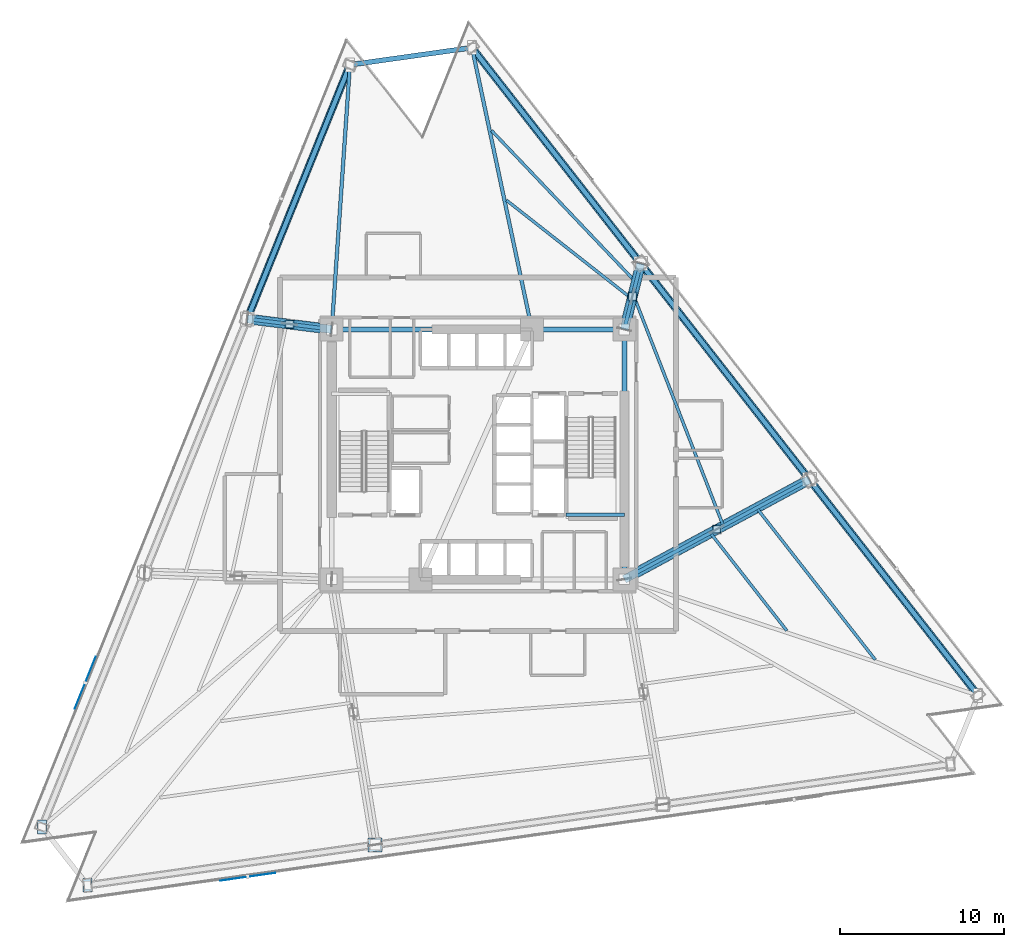
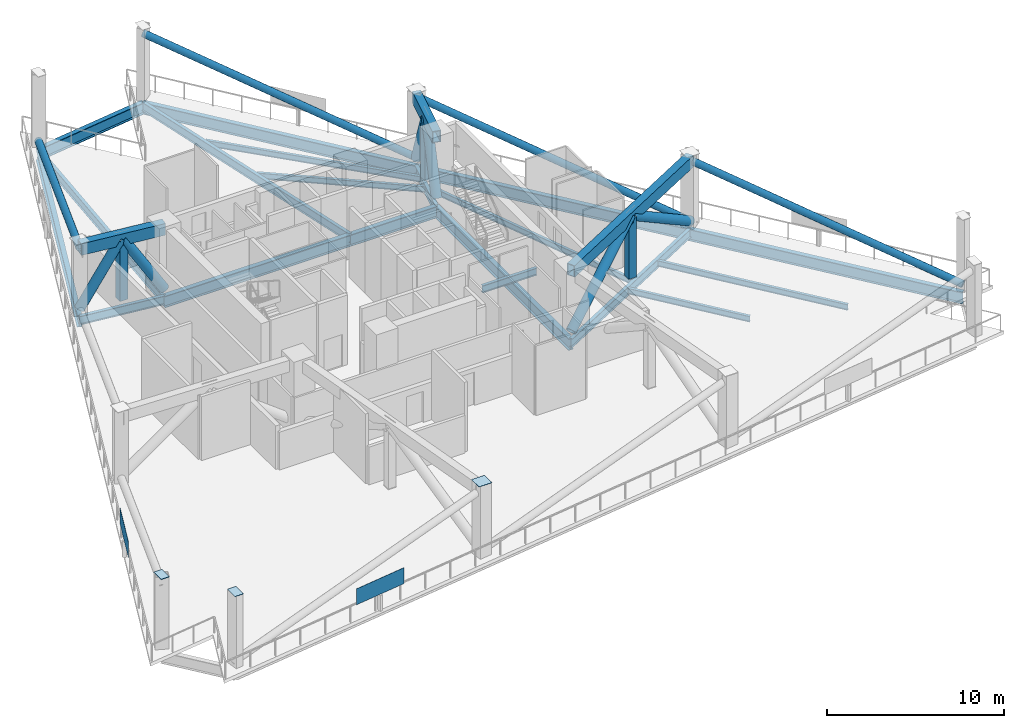
# One storey, part 2 of 13: 19 beams, 16 members, 5 plates.
"""IFC4 building model written with IfcOpenShell, lengths in metres."""

from ifc_helpers import new_model, si_unit, direction, frame, origin, origin_2d, place, context, subcontext, project, spatial, rectangle, hollow_rectangle, hollow_circle, i_section, extrude, material, layer, layer_set, material_profile, profile_set, type_object, element, save


model = new_model("IFC4")

# Units and contexts
model_context = context("Model", 3, precision=1e-05, world=origin(), true_north=direction((0.0, 1.0)))
body_context = subcontext(model_context, "Body", "Model", "MODEL_VIEW")
ifc_project = project(units=[si_unit("LENGTHUNIT", "METRE"), si_unit("AREAUNIT", "SQUARE_METRE"), si_unit("VOLUMEUNIT", "CUBIC_METRE"), si_unit("PLANEANGLEUNIT", "RADIAN"), si_unit("MASSUNIT", "GRAM", prefix="KILO")], contexts=[model_context])

# Site, building, storey
site_placement = place(None, origin())
site = spatial("IfcSite", under=ifc_project, at=site_placement, CompositionType="ELEMENT")
building_placement = place(site_placement, origin())
building = spatial("IfcBuilding", under=site, at=building_placement, Name="Tharavind Bronze Gate", CompositionType="ELEMENT")
storey_placement = place(building_placement, frame((0.0, 0.0, 81.10009765625)))
storey = spatial("IfcBuildingStorey", under=building, at=storey_placement, Name="L20", CompositionType="ELEMENT", Elevation=81.10009765625)

# Members
ifc_material_1 = material(Name="Steel S460", Category="steel")
ifc_material_profile_1 = material_profile(ifc_material_1, hollow_circle(Radius=0.228515625, WallThickness=0.02490234375, at=origin_2d()), Name="CHS457X25")
ifc_profile_set_1 = profile_set([ifc_material_profile_1], Name="Steel S460")
member_type_1 = type_object("IfcMemberType", Name="BELT TRUSS BRACE CHS457", PredefinedType="BRACE", material=ifc_profile_set_1)
member_1_placement = place(storey_placement, frame((-7.7919921875, 23.69775390625, 0.25), z_axis=(-0.363198722955, -0.898958374922, 0.244868388733), x_axis=(0.927185300557, -0.374603014443, 0.0)))
element("IfcMember", 1, at=member_1_placement, inside=storey, type_object=member_type_1, Name="L20 belt truss brace 1.1", PredefinedType="BRACE", context=body_context, shape_type="SweptSolid", body=[
    extrude(hollow_circle(Radius=0.228515625, WallThickness=0.02490234375, at=origin_2d()), origin(), (0.0, 0.0, 1.0), 17.19287109375),
])
member_2_placement = place(storey_placement, frame((30.422607421875, -14.664794921875, 0.25), z_axis=(-0.596913483488, 0.764023698158, 0.244871562014), x_axis=(-0.788014381458, -0.61565683186, 0.0)))
element("IfcMember", 2, at=member_2_placement, inside=storey, type_object=member_type_1, Name="L20 belt truss brace 3.1", PredefinedType="BRACE", context=body_context, shape_type="SweptSolid", body=[
    extrude(hollow_circle(Radius=0.228515625, WallThickness=0.02490234375, at=origin_2d()), origin(), (0.0, 0.0, 1.0), 17.192626953125),
])
member_3_placement = place(storey_placement, frame((20.16015625, -1.529296875, 0.25), z_axis=(-0.596919959708, 0.764017786896, 0.244874218751), x_axis=(-0.788008829929, -0.615663937513, 0.0)))
element("IfcMember", 3, at=member_3_placement, inside=storey, type_object=member_type_1, Name="L20 belt truss brace 3.2", PredefinedType="BRACE", context=body_context, shape_type="SweptSolid", body=[
    extrude(hollow_circle(Radius=0.228515625, WallThickness=0.02490234375, at=origin_2d()), origin(), (0.0, 0.0, 1.0), 17.1923828125),
])
member_4_placement = place(storey_placement, frame((9.897705078125, 11.60595703125, 0.25), z_axis=(-0.596922624083, 0.764017221989, 0.244869486385), x_axis=(-0.788007275873, -0.615665926595, 0.0)))
element("IfcMember", 4, at=member_4_placement, inside=storey, type_object=member_type_1, Name="L20 belt truss brace 3.3", PredefinedType="BRACE", context=body_context, shape_type="SweptSolid", body=[
    extrude(hollow_circle(Radius=0.228515625, WallThickness=0.02490234375, at=origin_2d()), origin(), (0.0, 0.0, 1.0), 17.192626953125),
])
ifc_material_profile_2 = material_profile(ifc_material_1, hollow_circle(Radius=0.304931640625, WallThickness=0.0400390625, at=origin_2d()), Name="CHS610X40")
ifc_profile_set_2 = profile_set([ifc_material_profile_2], Name="Steel S460")
member_type_2 = type_object("IfcMemberType", Name="OUTRIGGER DIAGONAL BRACE CHS610", PredefinedType="BRACE", material=ifc_profile_set_2)
for number, where, z_axis, x_axis, name in (
    (5, (-8.89990234375, 7.60009765625, 0.25), (-0.51970096548, 0.064962620685, 0.851874852542), (-0.124034734589, -0.992277876714, 0.0), "L20 outrigger diagonal brace 1.1"),
    (6, (-11.46826171875, 7.921142578125, 4.4599609375), (-0.519664905593, 0.064964288512, -0.851896723267), (-0.124046344651, -0.992276425387, 0.0), "L20 outrigger diagonal brace 1.2"),
):
    element("IfcMember", number, at=place(storey_placement, frame(where, z_axis=z_axis, x_axis=x_axis)), inside=storey, type_object=member_type_2, Name=name, PredefinedType="BRACE", context=body_context, shape_type="SweptSolid", body=[
        extrude(hollow_circle(Radius=0.304931640625, WallThickness=0.0400390625, at=origin_2d()), origin(), (0.0, 0.0, 1.0), 4.94189453125),
    ])
for number, where, z_axis, x_axis, name in (
    (7, (8.89990234375, -7.60009765625, 0.25), (0.735253199167, 0.396400981104, 0.549789955615), (-0.474559541493, 0.880223404357, 0.0), "L20 outrigger diagonal brace 5.1"),
    (8, (14.530029296875, -4.564697265625, 4.4599609375), (0.735253199167, 0.396400981104, -0.549789955615), (-0.474559541493, 0.880223404357, 0.0), "L20 outrigger diagonal brace 5.2"),
):
    element("IfcMember", number, at=place(storey_placement, frame(where, z_axis=z_axis, x_axis=x_axis)), inside=storey, type_object=member_type_2, Name=name, PredefinedType="BRACE", context=body_context, shape_type="SweptSolid", body=[
        extrude(hollow_circle(Radius=0.304931640625, WallThickness=0.0400390625, at=origin_2d()), origin(), (0.0, 0.0, 1.0), 7.657470703125),
    ])
for number, where, z_axis, x_axis, name in (
    (9, (8.89990234375, 7.60009765625, 0.25), (0.106378118087, 0.427178698377, 0.897887551782), (-0.970364735079, 0.241644948046, 0.0), "L20 outrigger diagonal brace 6.1"),
    (10, (9.398681640625, 9.60302734375, 4.4599609375), (0.106429597988, 0.427176331649, -0.897882577151), (-0.970336994869, 0.241756316128, 0.0), "L20 outrigger diagonal brace 6.2"),
):
    element("IfcMember", number, at=place(storey_placement, frame(where, z_axis=z_axis, x_axis=x_axis)), inside=storey, type_object=member_type_2, Name=name, PredefinedType="BRACE", context=body_context, shape_type="SweptSolid", body=[
        extrude(hollow_circle(Radius=0.304931640625, WallThickness=0.0400390625, at=origin_2d()), origin(), (0.0, 0.0, 1.0), 4.688720703125),
    ])
ifc_material_profile_3 = material_profile(ifc_material_1, hollow_rectangle(XDim=0.5, YDim=0.800048828125, WallThickness=0.0400390625, at=origin_2d()), Name="RHS800X500X40")
ifc_profile_set_3 = profile_set([ifc_material_profile_3], Name="Steel S460")
member_type_3 = type_object("IfcMemberType", Name="OUTRIGGER TOP CHORD RHS800", PredefinedType="CHORD", material=ifc_profile_set_3)
member_5_placement = place(storey_placement, frame((-8.89990234375, 7.60009765625, 4.4599609375), z_axis=(-0.992277151101, 0.124040539351, 0.0), x_axis=(-0.124040539351, -0.992277151101, 0.0)))
element("IfcMember", 11, at=member_5_placement, inside=storey, type_object=member_type_3, Name="L20 outrigger top chord 1", PredefinedType="CHORD", context=body_context, shape_type="SweptSolid", body=[
    extrude(hollow_rectangle(XDim=0.5, YDim=0.800048828125, WallThickness=0.0400390625, at=origin_2d()), origin(), (0.0, 0.0, 1.0), 5.176513671875),
])
member_6_placement = place(storey_placement, frame((8.89990234375, -7.60009765625, 4.4599609375), z_axis=(0.880223404357, 0.474559541493, 0.0), x_axis=(-0.474559541493, 0.880223404357, 0.0)))
element("IfcMember", 12, at=member_6_placement, inside=storey, type_object=member_type_3, Name="L20 outrigger top chord 5", PredefinedType="CHORD", context=body_context, shape_type="SweptSolid", body=[
    extrude(hollow_rectangle(XDim=0.5, YDim=0.800048828125, WallThickness=0.0400390625, at=origin_2d()), origin(), (0.0, 0.0, 1.0), 12.79248046875),
])
member_7_placement = place(storey_placement, frame((8.89990234375, 7.60009765625, 4.4599609375), z_axis=(0.241700633281, 0.970350866373, 0.0), x_axis=(-0.970350866373, 0.241700633281, 0.0)))
element("IfcMember", 13, at=member_7_placement, inside=storey, type_object=member_type_3, Name="L20 outrigger top chord 6", PredefinedType="CHORD", context=body_context, shape_type="SweptSolid", body=[
    extrude(hollow_rectangle(XDim=0.5, YDim=0.800048828125, WallThickness=0.0400390625, at=origin_2d()), origin(), (0.0, 0.0, 1.0), 4.128173828125),
])
ifc_material_profile_4 = material_profile(ifc_material_1, hollow_rectangle(XDim=0.5, YDim=0.5, WallThickness=0.031982421875, at=origin_2d()), Name="SHS500X32")
ifc_profile_set_4 = profile_set([ifc_material_profile_4], Name="Steel S460")
member_type_4 = type_object("IfcMemberType", Name="OUTRIGGER VERTICAL STRUT SHS500", PredefinedType="STRUT", material=ifc_profile_set_4)
for number, where, z_axis, x_axis, name in (
    (14, (-11.46826171875, 7.921142578125, 0.25), (0.0, 0.0, 1.0), (1.0, 0.0, 0.0), "L20 outrigger vertical strut 1"),
    (15, (14.530029296875, -4.564697265625, 0.25), (0.0, 0.0, 1.0), (1.0, 0.0, 0.0), "L20 outrigger vertical strut 5"),
    (16, (9.398681640625, 9.60302734375, 0.25), (0.0, 0.0, 1.0), (1.0, 0.0, 0.0), "L20 outrigger vertical strut 6"),
):
    element("IfcMember", number, at=place(storey_placement, frame(where, z_axis=z_axis, x_axis=x_axis)), inside=storey, type_object=member_type_4, Name=name, PredefinedType="STRUT", context=body_context, shape_type="SweptSolid", body=[
        extrude(hollow_rectangle(XDim=0.5, YDim=0.5, WallThickness=0.031982421875, at=origin_2d()), origin(), (0.0, 0.0, 1.0), 4.2099609375),
    ])

# Beams
ifc_material_2 = material(Name="Steel S355", Category="steel")
ifc_material_profile_5 = material_profile(ifc_material_2, i_section(OverallWidth=0.199951171875, OverallDepth=0.5, WebThickness=0.01025390625, FlangeThickness=0.01611328125, at=origin_2d()), Name="IPE500")
ifc_profile_set_5 = profile_set([ifc_material_profile_5], Name="Steel S355")
beam_type_1 = type_object("IfcBeamType", Name="PRIMARY GIRDER IPE500", PredefinedType="USERDEFINED", material=ifc_profile_set_5)
beam_1_placement = place(storey_placement, frame((5.35009765625, -3.679931640625, 2.0498046875), z_axis=(1.0, 0.0, 0.0), x_axis=(0.0, 1.0, 0.0)))
element("IfcBeam", 17, at=beam_1_placement, inside=storey, type_object=beam_type_1, Name="L20 primary girder ipe500 BM-LD-ST2-L20-1", ObjectType="GIRDER", PredefinedType="USERDEFINED", context=body_context, shape_type="SweptSolid", body=[
    extrude(i_section(OverallWidth=0.199951171875, OverallDepth=0.5, WebThickness=0.01025390625, FlangeThickness=0.01611328125, at=origin_2d()), origin(), (0.0, 0.0, 1.0), 3.5498046875),
])
ifc_material_profile_6 = material_profile(ifc_material_2, i_section(OverallWidth=0.219970703125, OverallDepth=0.60009765625, WebThickness=0.011962890625, FlangeThickness=0.01904296875, at=origin_2d()), Name="IPE600")
ifc_profile_set_6 = profile_set([ifc_material_profile_6], Name="Steel S355")
beam_type_2 = type_object("IfcBeamType", Name="PRIMARY GIRDER IPE600", PredefinedType="USERDEFINED", material=ifc_profile_set_6)
beam_2_placement = place(storey_placement, frame((-7.7919921875, 23.69775390625, -0.5400390625), z_axis=(-0.06866188826, -0.997639987721, 0.0), x_axis=(0.997639987721, -0.06866188826, 0.0)))
element("IfcBeam", 18, at=beam_2_placement, inside=storey, type_object=beam_type_2, Name="L20 primary girder ipe600 BM-L20-RAD01", ObjectType="GIRDER", PredefinedType="USERDEFINED", context=body_context, shape_type="SweptSolid", body=[
    extrude(i_section(OverallWidth=0.219970703125, OverallDepth=0.60009765625, WebThickness=0.011962890625, FlangeThickness=0.01904296875, at=origin_2d()), origin(), (0.0, 0.0, 1.0), 16.1357421875),
])
beam_3_placement = place(storey_placement, frame((-14.036376953125, 8.2421875, -0.5400390625), z_axis=(0.992277151101, -0.124040539351, 0.0), x_axis=(0.124040539351, 0.992277151101, 0.0)))
element("IfcBeam", 19, at=beam_3_placement, inside=storey, type_object=beam_type_2, Name="L20 primary girder ipe600 BM-L20-RAD02", ObjectType="GIRDER", PredefinedType="USERDEFINED", context=body_context, shape_type="SweptSolid", body=[
    extrude(i_section(OverallWidth=0.219970703125, OverallDepth=0.60009765625, WebThickness=0.011962890625, FlangeThickness=0.01904296875, at=origin_2d()), origin(), (0.0, 0.0, 1.0), 5.176513671875),
])
beam_4_placement = place(storey_placement, frame((20.16015625, -1.529296875, -0.5400390625), z_axis=(-0.880223404357, -0.474559541493, 0.0), x_axis=(0.474559541493, -0.880223404357, 0.0)))
element("IfcBeam", 20, at=beam_4_placement, inside=storey, type_object=beam_type_2, Name="L20 primary girder ipe600 BM-L20-RAD10", ObjectType="GIRDER", PredefinedType="USERDEFINED", context=body_context, shape_type="SweptSolid", body=[
    extrude(i_section(OverallWidth=0.219970703125, OverallDepth=0.60009765625, WebThickness=0.011962890625, FlangeThickness=0.01904296875, at=origin_2d()), origin(), (0.0, 0.0, 1.0), 12.79248046875),
])
beam_5_placement = place(storey_placement, frame((9.897705078125, 11.60595703125, -0.5400390625), z_axis=(-0.241700633281, -0.970350866373, 0.0), x_axis=(0.970350866373, -0.241700633281, 0.0)))
element("IfcBeam", 21, at=beam_5_placement, inside=storey, type_object=beam_type_2, Name="L20 primary girder ipe600 BM-L20-RAD11", ObjectType="GIRDER", PredefinedType="USERDEFINED", context=body_context, shape_type="SweptSolid", body=[
    extrude(i_section(OverallWidth=0.219970703125, OverallDepth=0.60009765625, WebThickness=0.011962890625, FlangeThickness=0.01904296875, at=origin_2d()), origin(), (0.0, 0.0, 1.0), 4.128173828125),
])
beam_6_placement = place(storey_placement, frame((-0.364990234375, 24.741455078125, -0.5400390625), z_axis=(0.207994213737, -0.978130056307, 0.0), x_axis=(0.978130056307, 0.207994213737, 0.0)))
element("IfcBeam", 22, at=beam_6_placement, inside=storey, type_object=beam_type_2, Name="L20 primary girder ipe600 BM-L20-RAD12", ObjectType="GIRDER", PredefinedType="USERDEFINED", context=body_context, shape_type="SweptSolid", body=[
    extrude(i_section(OverallWidth=0.219970703125, OverallDepth=0.60009765625, WebThickness=0.011962890625, FlangeThickness=0.01904296875, at=origin_2d()), origin(), (0.0, 0.0, 1.0), 17.524658203125),
])
ifc_material_profile_7 = material_profile(ifc_material_2, i_section(OverallWidth=0.300048828125, OverallDepth=0.800048828125, WebThickness=0.017578125, FlangeThickness=0.032958984375, at=origin_2d()), Name="HE800B")
ifc_profile_set_7 = profile_set([ifc_material_profile_7], Name="Steel S355")
beam_type_3 = type_object("IfcBeamType", Name="RING GIRDER HE800B", PredefinedType="USERDEFINED", material=ifc_profile_set_7)
beam_7_placement = place(storey_placement, frame((8.89990234375, -7.60009765625, -0.64013671875), z_axis=(0.0, 1.0, 0.0), x_axis=(-1.0, 0.0, 0.0)))
element("IfcBeam", 23, at=beam_7_placement, inside=storey, type_object=beam_type_3, Name="L20 ring girder he800b BM-L20-CR3", ObjectType="GIRDER", PredefinedType="USERDEFINED", context=body_context, shape_type="SweptSolid", body=[
    extrude(i_section(OverallWidth=0.300048828125, OverallDepth=0.800048828125, WebThickness=0.017578125, FlangeThickness=0.032958984375, at=origin_2d()), origin(), (0.0, 0.0, 1.0), 15.2001953125),
])
beam_8_placement = place(storey_placement, frame((8.89990234375, 7.60009765625, -0.64013671875), z_axis=(-1.0, 0.0, 0.0), x_axis=(0.0, -1.0, 0.0)))
element("IfcBeam", 24, at=beam_8_placement, inside=storey, type_object=beam_type_3, Name="L20 ring girder he800b BM-L20-CR4", ObjectType="GIRDER", PredefinedType="USERDEFINED", context=body_context, shape_type="SweptSolid", body=[
    extrude(i_section(OverallWidth=0.300048828125, OverallDepth=0.800048828125, WebThickness=0.017578125, FlangeThickness=0.032958984375, at=origin_2d()), origin(), (0.0, 0.0, 1.0), 5.619873046875),
])
beam_9_placement = place(storey_placement, frame((3.280029296875, 7.60009765625, -0.64013671875), z_axis=(-1.0, 0.0, 0.0), x_axis=(0.0, -1.0, 0.0)))
element("IfcBeam", 25, at=beam_9_placement, inside=storey, type_object=beam_type_3, Name="L20 ring girder he800b BM-L20-CR5", ObjectType="GIRDER", PredefinedType="USERDEFINED", context=body_context, shape_type="SweptSolid", body=[
    extrude(i_section(OverallWidth=0.300048828125, OverallDepth=0.800048828125, WebThickness=0.017578125, FlangeThickness=0.032958984375, at=origin_2d()), origin(), (0.0, 0.0, 1.0), 12.179931640625),
])
beam_10_placement = place(storey_placement, frame((-7.7919921875, 23.69775390625, -0.64013671875), z_axis=(-0.374603014443, -0.927185300557, 0.0), x_axis=(0.927185300557, -0.374603014443, 0.0)))
element("IfcBeam", 26, at=beam_10_placement, inside=storey, type_object=beam_type_3, Name="L20 ring girder he800b BM-L20-PRG01", ObjectType="GIRDER", PredefinedType="USERDEFINED", context=body_context, shape_type="SweptSolid", body=[
    extrude(i_section(OverallWidth=0.300048828125, OverallDepth=0.800048828125, WebThickness=0.017578125, FlangeThickness=0.032958984375, at=origin_2d()), origin(), (0.0, 0.0, 1.0), 16.66943359375),
])
beam_11_placement = place(storey_placement, frame((30.422607421875, -14.664794921875, -0.64013671875), z_axis=(-0.61565683186, 0.788014381458, 0.0), x_axis=(-0.788014381458, -0.61565683186, 0.0)))
element("IfcBeam", 27, at=beam_11_placement, inside=storey, type_object=beam_type_3, Name="L20 ring girder he800b BM-L20-PRG09", ObjectType="GIRDER", PredefinedType="USERDEFINED", context=body_context, shape_type="SweptSolid", body=[
    extrude(i_section(OverallWidth=0.300048828125, OverallDepth=0.800048828125, WebThickness=0.017578125, FlangeThickness=0.032958984375, at=origin_2d()), origin(), (0.0, 0.0, 1.0), 16.669189453125),
])
beam_12_placement = place(storey_placement, frame((20.16015625, -1.529296875, -0.64013671875), z_axis=(-0.615663937513, 0.788008829929, 0.0), x_axis=(-0.788008829929, -0.615663937513, 0.0)))
element("IfcBeam", 28, at=beam_12_placement, inside=storey, type_object=beam_type_3, Name="L20 ring girder he800b BM-L20-PRG10", ObjectType="GIRDER", PredefinedType="USERDEFINED", context=body_context, shape_type="SweptSolid", body=[
    extrude(i_section(OverallWidth=0.300048828125, OverallDepth=0.800048828125, WebThickness=0.017578125, FlangeThickness=0.032958984375, at=origin_2d()), origin(), (0.0, 0.0, 1.0), 16.6689453125),
])
beam_13_placement = place(storey_placement, frame((9.897705078125, 11.60595703125, -0.64013671875), z_axis=(-0.615665926595, 0.788007275873, 0.0), x_axis=(-0.788007275873, -0.615665926595, 0.0)))
element("IfcBeam", 29, at=beam_13_placement, inside=storey, type_object=beam_type_3, Name="L20 ring girder he800b BM-L20-PRG11", ObjectType="GIRDER", PredefinedType="USERDEFINED", context=body_context, shape_type="SweptSolid", body=[
    extrude(i_section(OverallWidth=0.300048828125, OverallDepth=0.800048828125, WebThickness=0.017578125, FlangeThickness=0.032958984375, at=origin_2d()), origin(), (0.0, 0.0, 1.0), 16.669189453125),
])
beam_14_placement = place(storey_placement, frame((-0.364990234375, 24.741455078125, -0.64013671875), z_axis=(-0.990269830577, -0.139160564272, 0.0), x_axis=(0.139160564272, -0.990269830577, 0.0)))
element("IfcBeam", 30, at=beam_14_placement, inside=storey, type_object=beam_type_3, Name="L20 ring girder he800b BM-L20-PRG12", ObjectType="GIRDER", PredefinedType="USERDEFINED", context=body_context, shape_type="SweptSolid", body=[
    extrude(i_section(OverallWidth=0.300048828125, OverallDepth=0.800048828125, WebThickness=0.017578125, FlangeThickness=0.032958984375, at=origin_2d()), origin(), (0.0, 0.0, 1.0), 7.5),
])
ifc_material_profile_8 = material_profile(ifc_material_2, i_section(OverallWidth=0.179931640625, OverallDepth=0.39990234375, WebThickness=0.008544921875, FlangeThickness=0.013427734375, at=origin_2d()), Name="IPE400")
ifc_profile_set_8 = profile_set([ifc_material_profile_8], Name="Steel S355")
beam_type_4 = type_object("IfcBeamType", Name="SECONDARY FLOOR JOIST IPE400", PredefinedType="JOIST", material=ifc_profile_set_8)
beam_15_placement = place(storey_placement, frame((18.783935546875, -10.726318359375, -0.440185546875), z_axis=(-0.615658063003, 0.788013419593, 0.0), x_axis=(-0.788013419593, -0.615658063003, 0.0)))
element("IfcBeam", 31, at=beam_15_placement, inside=storey, type_object=beam_type_4, Name="L20 secondary floor joist ipe400 BM-L20-JSTA09", PredefinedType="JOIST", context=body_context, shape_type="SweptSolid", body=[
    extrude(i_section(OverallWidth=0.179931640625, OverallDepth=0.39990234375, WebThickness=0.008544921875, FlangeThickness=0.013427734375, at=origin_2d()), origin(), (0.0, 0.0, 1.0), 7.433837890625),
])
beam_16_placement = place(storey_placement, frame((24.16455078125, -12.492431640625, -0.440185546875), z_axis=(-0.61565833532, 0.788013206838, 0.0), x_axis=(-0.788013206838, -0.61565833532, 0.0)))
element("IfcBeam", 32, at=beam_16_placement, inside=storey, type_object=beam_type_4, Name="L20 secondary floor joist ipe400 BM-L20-JSTB09", PredefinedType="JOIST", context=body_context, shape_type="SweptSolid", body=[
    extrude(i_section(OverallWidth=0.179931640625, OverallDepth=0.39990234375, WebThickness=0.008544921875, FlangeThickness=0.013427734375, at=origin_2d()), origin(), (0.0, 0.0, 1.0), 11.60107421875),
])
beam_17_placement = place(storey_placement, frame((14.882568359375, -4.2451171875, -0.440185546875), z_axis=(-0.362958255352, 0.931805400753, 0.0), x_axis=(-0.931805400753, -0.362958255352, 0.0)))
element("IfcBeam", 33, at=beam_17_placement, inside=storey, type_object=beam_type_4, Name="L20 secondary floor joist ipe400 BM-L20-JSTA10", PredefinedType="JOIST", context=body_context, shape_type="SweptSolid", body=[
    extrude(i_section(OverallWidth=0.179931640625, OverallDepth=0.39990234375, WebThickness=0.008544921875, FlangeThickness=0.013427734375, at=origin_2d()), origin(), (0.0, 0.0, 1.0), 14.817626953125),
])
beam_18_placement = place(storey_placement, frame((9.265869140625, 9.539794921875, -0.440185546875), z_axis=(-0.786502051984, 0.617587663595, 0.0), x_axis=(-0.617587663595, -0.786502051984, 0.0)))
element("IfcBeam", 34, at=beam_18_placement, inside=storey, type_object=beam_type_4, Name="L20 secondary floor joist ipe400 BM-L20-JSTA11", PredefinedType="JOIST", context=body_context, shape_type="SweptSolid", body=[
    extrude(i_section(OverallWidth=0.179931640625, OverallDepth=0.39990234375, WebThickness=0.008544921875, FlangeThickness=0.013427734375, at=origin_2d()), origin(), (0.0, 0.0, 1.0), 9.58984375),
])
beam_19_placement = place(storey_placement, frame((9.520751953125, 10.5615234375, -0.440185546875), z_axis=(-0.689438692016, 0.724344041151, 0.0), x_axis=(-0.724344041151, -0.689438692016, 0.0)))
element("IfcBeam", 35, at=beam_19_placement, inside=storey, type_object=beam_type_4, Name="L20 secondary floor joist ipe400 BM-L20-JSTB11", PredefinedType="JOIST", context=body_context, shape_type="SweptSolid", body=[
    extrude(i_section(OverallWidth=0.179931640625, OverallDepth=0.39990234375, WebThickness=0.008544921875, FlangeThickness=0.013427734375, at=origin_2d()), origin(), (0.0, 0.0, 1.0), 12.617919921875),
])

# Plates
ifc_material_3 = material(Name="Perforated Bronze Alloy", Category="bronze")
ifc_layer_1 = layer(ifc_material_3, 0.011962890625)
ifc_layer_set_1 = layer_set([ifc_layer_1], Name="Perforated Bronze Alloy")
plate_type_1 = type_object("IfcPlateType", Name="BRONZE PERFORATED SOLAR SCREEN", PredefinedType="USERDEFINED", material=ifc_layer_set_1)
for number, where, z_axis, x_axis, name in (
    (36, (-23.8974609375, -13.895751953125, 1.099853515625), (0.0, 0.0, 1.0), (-0.374606593416, -0.927183854567, 0.0), "L20 wind floor acoustic bronze baffle 1.2"),
    (37, (-14.0126953125, -25.70361328125, 1.099853515625), (0.0, 0.0, 1.0), (0.990268068742, 0.13917310096, 0.0), "L20 wind floor acoustic bronze baffle 2.1"),
):
    element("IfcPlate", number, at=place(storey_placement, frame(where, z_axis=z_axis, x_axis=x_axis)), inside=storey, type_object=plate_type_1, Name=name, ObjectType="SCREEN", PredefinedType="USERDEFINED", context=body_context, shape_type="SweptSolid", body=[
        extrude(rectangle(XDim=3.39990234375, YDim=0.011962890625, at=origin_2d()), origin(), (0.0, 0.0, 1.0), 1.10009765625),
    ])
ifc_layer_2 = layer(ifc_material_1, 0.02490234375)
ifc_layer_set_2 = layer_set([ifc_layer_2], Name="Steel S460")
plate_type_2 = type_object("IfcPlateType", Name="STEEL END CAP SHEET 25", PredefinedType="SHEET", material=ifc_layer_set_2)
for number, where, z_axis, x_axis, name in (
    (38, (-26.525146484375, -22.66845703125, 4.987548828125), (0.0, 0.0, 1.0), (1.0, 0.0, 0.0), "Steel end cap plate CAP-COLT-L20-S1C4"),
    (39, (-23.754638671875, -26.21435546875, 4.987548828125), (0.0, 0.0, 1.0), (1.0, 0.0, 0.0), "Steel end cap plate CAP-COLT-L20-S2C1"),
):
    element("IfcPlate", number, at=place(storey_placement, frame(where, z_axis=z_axis, x_axis=x_axis)), inside=storey, type_object=plate_type_2, Name=name, PredefinedType="SHEET", context=body_context, shape_type="SweptSolid", body=[
        extrude(rectangle(XDim=0.544921875, YDim=0.844970703125, at=origin_2d()), origin(), (0.0, 0.0, 1.0), 0.02490234375),
    ])
plate_placement = place(storey_placement, frame((-6.25732421875, -23.75537109375, 4.987548828125), z_axis=(0.0, 0.0, 1.0), x_axis=(1.0, 0.0, 0.0)))
element("IfcPlate", 40, at=plate_placement, inside=storey, type_object=plate_type_2, Name="Steel end cap plate CAP-COLT-L20-S2C2", PredefinedType="SHEET", context=body_context, shape_type="SweptSolid", body=[
    extrude(rectangle(XDim=0.844970703125, YDim=0.844970703125, at=origin_2d()), origin(), (0.0, 0.0, 1.0), 0.02490234375),
])

save(model, "model.ifc")
